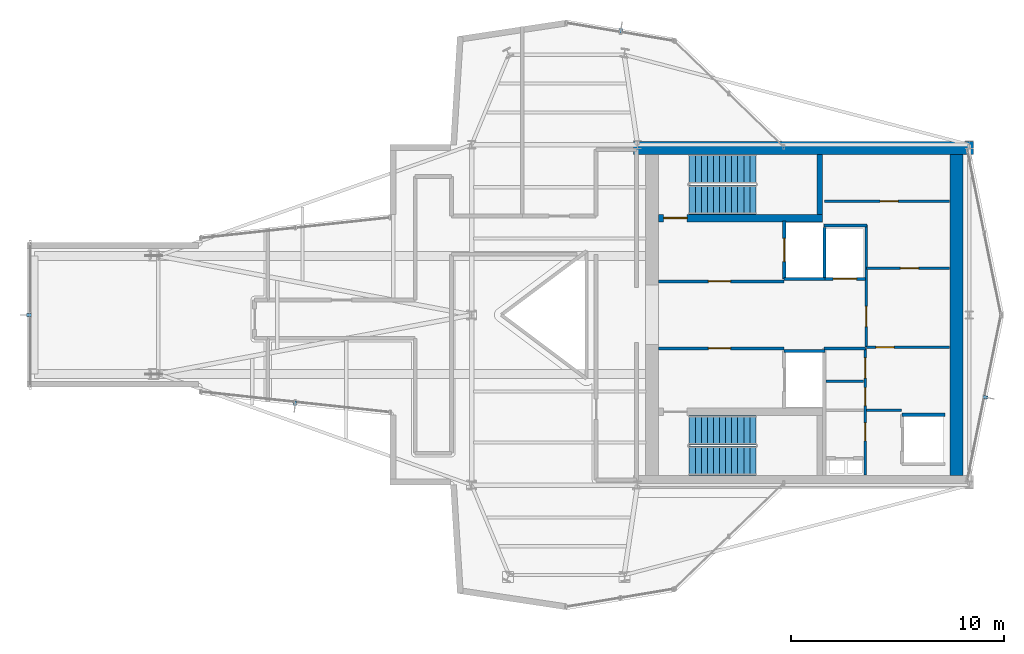
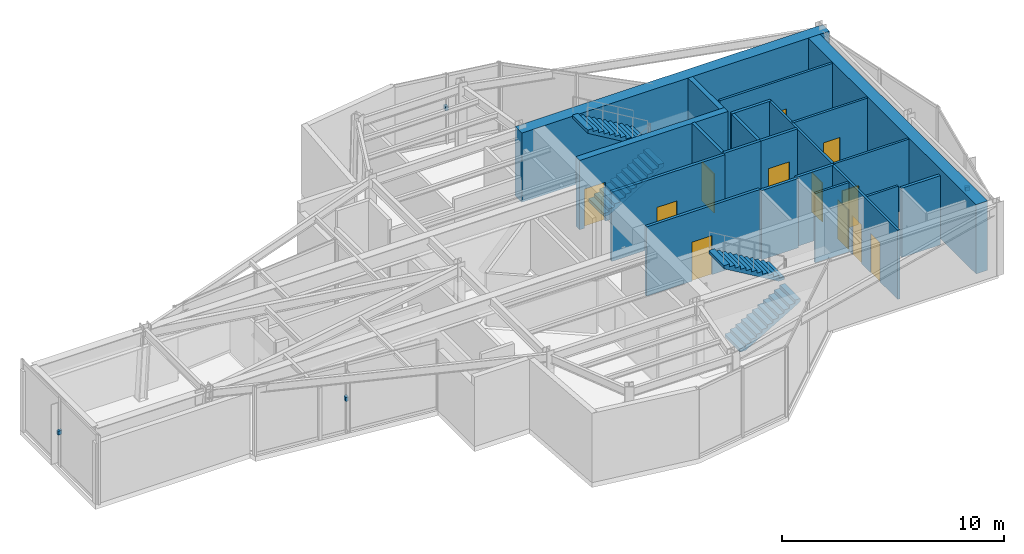
# One storey, part 14 of 18: 21 walls, 12 doors, 4 discrete accessories, 4 stair flights, 12 openings, 2 elements without a shape of their own.
"""IFC4 building model written with IfcOpenShell, lengths in metres."""

import ifcopenshell
import ifcopenshell.guid

model = None  # the IFC model being written
_history = None  # IfcOwnerHistory: only IFC2X3 demands one
_inside = {}  # id of a spatial element -> (the spatial element, [elements in it])
_under = {}  # id of a project, library or spatial element -> (it, [spatial elements below it])
_declared = {}  # id of a project -> (the project, [libraries it declares])
_typed = {}  # id of a type object -> (the type object, [elements of that type])
_made_of = {}  # id of a material, layer set ... -> (it, [elements and type objects made of it])


def new_model(schema):
    """Start an empty IFC model of exactly this schema.

    Asked for "IFC4X3", IfcOpenShell would pick the latest addendum, in which some entities
    have other attributes; the version numbers below select the first issue.
    IFC2X3 requires an IfcOwnerHistory on every rooted entity: one is made here for all.
    """
    global model, _history
    if schema == "IFC4X3":
        model = ifcopenshell.file(schema_version=(4, 3, 0, 0))
    else:
        model = ifcopenshell.file(schema=schema)
    _inside.clear()
    _under.clear()
    _declared.clear()
    _typed.clear()
    _made_of.clear()
    _history = None
    if model.schema == "IFC2X3":
        org = make("IfcOrganization", Name="unknown")
        user = make(
            "IfcPersonAndOrganization",
            ThePerson=make("IfcPerson", FamilyName="unknown"),
            TheOrganization=org,
        )
        app = make(
            "IfcApplication",
            ApplicationDeveloper=org,
            Version="unknown",
            ApplicationFullName="unknown",
            ApplicationIdentifier="unknown",
        )
        _history = make(
            "IfcOwnerHistory",
            OwningUser=user,
            OwningApplication=app,
            ChangeAction="ADDED",
            CreationDate=0,
        )
    return model


def make(cls, **values):
    """One entity of the class cls with the attributes given. An attribute that is None is left unset."""
    return model.create_entity(
        cls, **{name: value for name, value in values.items() if value is not None}
    )


def rooted(cls, **values):
    """An entity with a GlobalId (a new one), such as an element, a storey or a relation."""
    return make(cls, GlobalId=ifcopenshell.guid.new(), OwnerHistory=_history, **values)


def si_unit(unit_type, name, prefix=None):
    """IfcSIUnit, for example si_unit("LENGTHUNIT", "METRE", prefix="MILLI")."""
    return make("IfcSIUnit", UnitType=unit_type, Prefix=prefix, Name=name)


def assignment(units):
    """IfcUnitAssignment: the units of a project."""
    return None if units is None else make("IfcUnitAssignment", Units=units)


def point(xyz):
    """IfcCartesianPoint."""
    return None if xyz is None else make("IfcCartesianPoint", Coordinates=xyz)


def direction(xyz):
    """IfcDirection."""
    return None if xyz is None else make("IfcDirection", DirectionRatios=xyz)


def frame(location, z_axis=None, x_axis=None):
    """IfcAxis2Placement3D, a coordinate frame: its origin and axes. An axis left out is left unset."""
    return make(
        "IfcAxis2Placement3D",
        Location=point(location),
        Axis=direction(z_axis),
        RefDirection=direction(x_axis),
    )


def frame_2d(location, x_axis=None):
    """IfcAxis2Placement2D, a coordinate frame in the plane: its origin and x axis."""
    return make(
        "IfcAxis2Placement2D", Location=point(location), RefDirection=direction(x_axis)
    )


def origin():
    """The frame at (0, 0, 0) with its axes left unset."""
    return frame((0.0, 0.0, 0.0))


def origin_2d():
    """The frame at (0, 0) in the plane with its x axis left unset."""
    return frame_2d((0.0, 0.0))


def place(relative_to, where):
    """IfcLocalPlacement: puts the frame where relative to a parent placement (None: the world)."""
    return make(
        "IfcLocalPlacement", PlacementRelTo=relative_to, RelativePlacement=where
    )


def context(
    kind, dimensions, precision=None, world=None, true_north=None, identifier=None
):
    """IfcGeometricRepresentationContext, for example the 3D "Model" context."""
    return make(
        "IfcGeometricRepresentationContext",
        ContextIdentifier=identifier,
        ContextType=kind,
        CoordinateSpaceDimension=dimensions,
        Precision=precision,
        WorldCoordinateSystem=world,
        TrueNorth=true_north,
    )


def subcontext(parent, identifier, kind, view, scale=None):
    """IfcGeometricRepresentationSubContext, for example "Body" below "Model"."""
    return make(
        "IfcGeometricRepresentationSubContext",
        ContextIdentifier=identifier,
        ContextType=kind,
        ParentContext=parent,
        TargetScale=scale,
        TargetView=view,
    )


def project(units=None, contexts=None):
    """IfcProject with its units and contexts."""
    return rooted(
        "IfcProject",
        Name="project",
        RepresentationContexts=contexts,
        UnitsInContext=assignment(units),
    )


def spatial(cls, under=None, at=None, **own):
    """A site, building, storey or space (cls), placed at a placement, below another one or the project."""
    s = rooted(cls, ObjectPlacement=at, **own)
    if under is not None:
        _under.setdefault(under.id(), (under, []))[1].append(s)
    return s


def polyline(points):
    """IfcPolyline through the points."""
    return make("IfcPolyline", Points=[point(p) for p in points])


def profile(cls, at=None, kind="AREA", **sizes):
    """A parametric profile (cls). Its sizes go by their IFC names, for example OverallWidth=200.0."""
    return make(cls, ProfileType=kind, Position=at, **sizes)


def rectangle(**sizes):
    """IfcRectangleProfileDef."""
    return profile("IfcRectangleProfileDef", **sizes)


def outline(outer, holes=None, kind="AREA"):
    """IfcArbitraryClosedProfileDef: a profile drawn as a closed curve; with holes, ...WithVoids."""
    if holes is None:
        return make("IfcArbitraryClosedProfileDef", ProfileType=kind, OuterCurve=outer)
    return make(
        "IfcArbitraryProfileDefWithVoids",
        ProfileType=kind,
        OuterCurve=outer,
        InnerCurves=holes,
    )


def extrude(swept, where, along, depth):
    """IfcExtrudedAreaSolid: the profile swept, set in the frame where, extruded along a direction by depth."""
    return make(
        "IfcExtrudedAreaSolid",
        SweptArea=swept,
        Position=where,
        ExtrudedDirection=direction(along),
        Depth=depth,
    )


def shape(context_of_items, identifier, shape_type, items):
    """IfcShapeRepresentation: the items that make up one representation, for example the "Body"."""
    return make(
        "IfcShapeRepresentation",
        ContextOfItems=context_of_items,
        RepresentationIdentifier=identifier,
        RepresentationType=shape_type,
        Items=items,
    )


def material(Name=None, Category=None):
    """IfcMaterial."""
    return make("IfcMaterial", Name=Name, Category=Category)


def layer(
    of_material, thickness, ventilated=None, Name=None, Category=None, Priority=None
):
    """IfcMaterialLayer: one layer of a wall or slab, of a material (None: an air gap)."""
    return make(
        "IfcMaterialLayer",
        Material=of_material,
        LayerThickness=thickness,
        IsVentilated=ventilated,
        Name=Name,
        Category=Category,
        Priority=Priority,
    )


def layer_set(layers, Name=None):
    """IfcMaterialLayerSet."""
    return make("IfcMaterialLayerSet", MaterialLayers=layers, LayerSetName=Name)


def made_of(thing, what):
    """Note that an element or type object is made of a material, layer set ...; save() writes the relation."""
    if what is not None:
        _made_of.setdefault(what.id(), (what, []))[1].append(thing)
    return thing


def type_object(cls, material=None, **own):
    """A type object (cls), such as IfcWallType, which elements share."""
    return made_of(rooted(cls, **own), material)


def element(
    cls,
    number,
    at=None,
    inside=None,
    cuts=None,
    type_object=None,
    material=None,
    context=None,
    identifier="Body",
    shape_type=None,
    held_by="IfcProductDefinitionShape",
    body=None,
    shapes=None,
    **own,
):
    """One element of the class cls, such as IfcWall. Its Tag is "e" and its number.

    at: its placement. inside: the storey or other place that contains it. cuts: it is an
    opening in that element (IfcRelVoidsElement). A single representation is given by context,
    identifier, shape_type and body (its items); several are given by shapes. held_by: the class
    of the entity that holds the representations. save() writes the other relations.
    """
    e = rooted(cls, Tag="e%d" % number, ObjectPlacement=at, **own)
    if body is not None:
        shapes = [shape(context, identifier, shape_type, body)]
    if shapes is not None:
        e.Representation = make(held_by, Representations=shapes)
    if inside is not None:
        _inside.setdefault(inside.id(), (inside, []))[1].append(e)
    if cuts is not None:
        rooted(
            "IfcRelVoidsElement", RelatingBuildingElement=cuts, RelatedOpeningElement=e
        )
    if type_object is not None:
        _typed.setdefault(type_object.id(), (type_object, []))[1].append(e)
    return made_of(e, material)


def fill(opening, filler):
    """IfcRelFillsElement: the door or window that sits in an opening."""
    return rooted(
        "IfcRelFillsElement",
        RelatingOpeningElement=opening,
        RelatedBuildingElement=filler,
    )


def aggregate(whole, parts):
    """IfcRelAggregates: a whole, such as a stair, and the parts it consists of."""
    return rooted("IfcRelAggregates", RelatingObject=whole, RelatedObjects=parts)


def save(model, path):
    """Write the relations noted so far, then the file.

    IfcRelAggregates (storeys below a building ...), IfcRelContainedInSpatialStructure (elements
    in a storey), IfcRelDefinesByType, IfcRelAssociatesMaterial and IfcRelDeclares: one each for
    every whole, place, type object, material and project.
    """
    for whole, parts in _under.values():
        aggregate(whole, parts)
    for where, things in _inside.values():
        rooted(
            "IfcRelContainedInSpatialStructure",
            RelatedElements=things,
            RelatingStructure=where,
        )
    for kind, things in _typed.values():
        rooted("IfcRelDefinesByType", RelatedObjects=things, RelatingType=kind)
    for what, things in _made_of.values():
        rooted("IfcRelAssociatesMaterial", RelatedObjects=things, RelatingMaterial=what)
    for by, libraries in _declared.values():
        rooted("IfcRelDeclares", RelatingContext=by, RelatedDefinitions=libraries)
    model.write(path)


model = new_model("IFC4")

# Units and contexts
model_context = context("Model", 3, precision=1e-05, world=origin(), true_north=direction((0.0, 1.0)))
body_context = subcontext(model_context, "Body", "Model", "MODEL_VIEW")
ifc_project = project(units=[si_unit("LENGTHUNIT", "METRE"), si_unit("AREAUNIT", "SQUARE_METRE"), si_unit("VOLUMEUNIT", "CUBIC_METRE"), si_unit("PLANEANGLEUNIT", "RADIAN"), si_unit("MASSUNIT", "GRAM", prefix="KILO")], contexts=[model_context])

# Site, building, storey
site_placement = place(None, origin())
site = spatial("IfcSite", under=ifc_project, at=site_placement, CompositionType="ELEMENT")
building_placement = place(site_placement, origin())
building = spatial("IfcBuilding", under=site, at=building_placement, Name="Veymaron Broadcast Tower", CompositionType="ELEMENT")
storey_placement = place(building_placement, frame((0.0, 0.0, 319.5)))
storey = spatial("IfcBuildingStorey", under=building, at=storey_placement, Name="L75", CompositionType="ELEMENT", Elevation=319.5)

# Wall, opening, door
ifc_material_1 = material(Name="Gypsum fireboard and steel stud framing", Category="steel")
ifc_layer_1 = layer(ifc_material_1, 0.14990234375)
ifc_layer_set_1 = layer_set([ifc_layer_1], Name="Gypsum fireboard and steel stud framing")
wall_type_1 = type_object("IfcWallType", Name="WALL-FIRE-150", PredefinedType="PARTITIONING", material=ifc_layer_set_1)
wall_1_placement = place(storey_placement, frame((39.97998046875, 25.574951171875, 0.0), z_axis=(0.0, 0.0, 1.0), x_axis=(1.0, 0.0, 0.0)))
wall_1 = element("IfcWall", 1, at=wall_1_placement, inside=storey, type_object=wall_type_1, Name="L75 partition IW-L75-FFLN-S", PredefinedType="PARTITIONING", context=body_context, shape_type="SweptSolid", body=[
    extrude(rectangle(XDim=5.89990234375, YDim=0.14990234375, at=frame_2d((2.949951171875, 0.0))), origin(), (0.0, 0.0, 1.0), 3.81005859375),
])
opening_1_placement = place(wall_1_placement, frame((2.35009765625, 0.0, 0.0)))
opening_1 = element("IfcOpeningElement", 2, at=opening_1_placement, cuts=wall_1, Name="Opening ID-FL1", PredefinedType="OPENING", context=body_context, shape_type="SweptSolid", body=[
    extrude(rectangle(XDim=1.050048828125, YDim=2.14990234375, at=frame_2d((0.52490234375, 1.074951171875))), frame((0.0, 0.0849609375, 0.0), z_axis=(0.0, -1.0, 0.0), x_axis=(1.0, 0.0, 0.0)), (0.0, 0.0, 1.0), 0.169921875),
])
ifc_material_2 = material(Name="Fire-rated painted hollow steel ASTM A653", Category="steel")
door_type_1 = type_object("IfcDoorType", Name="DOOR-FIRE-1050", OperationType="NOTDEFINED", PredefinedType="DOOR", material=ifc_material_2)
door_1_placement = place(opening_1_placement, origin())
door_1 = element("IfcDoor", 3, at=door_1_placement, inside=storey, type_object=door_type_1, Name="L75 door DR-L75-FFLN", OperationType="SINGLE_SWING_LEFT", OverallHeight=2.14990234375, OverallWidth=1.050048828125, PredefinedType="DOOR", context=body_context, shape_type="SweptSolid", body=[
    extrude(rectangle(XDim=1.050048828125, YDim=2.14990234375, at=frame_2d((0.52490234375, 1.074951171875))), frame((0.0, 0.02490234375, 0.0), z_axis=(0.0, -1.0, 0.0), x_axis=(1.0, 0.0, 0.0)), (0.0, 0.0, 1.0), 0.050048828125),
])
fill(opening_1, door_1)

wall_2_placement = place(storey_placement, frame((39.97998046875, 22.425048828125, 0.0), z_axis=(0.0, 0.0, 1.0), x_axis=(1.0, 0.0, 0.0)))
wall_2 = element("IfcWall", 4, at=wall_2_placement, inside=storey, type_object=wall_type_1, Name="L75 partition IW-L75-FFLS-N", PredefinedType="PARTITIONING", context=body_context, shape_type="SweptSolid", body=[
    extrude(rectangle(XDim=5.89990234375, YDim=0.14990234375, at=frame_2d((2.949951171875, 0.0))), origin(), (0.0, 0.0, 1.0), 3.81005859375),
])
opening_2_placement = place(wall_2_placement, frame((2.35009765625, 0.0, 0.0)))
opening_2 = element("IfcOpeningElement", 5, at=opening_2_placement, cuts=wall_2, Name="Opening ID-FL1", PredefinedType="OPENING", context=body_context, shape_type="SweptSolid", body=[
    extrude(rectangle(XDim=1.050048828125, YDim=2.14990234375, at=frame_2d((0.52490234375, 1.074951171875))), frame((0.0, 0.0849609375, 0.0), z_axis=(0.0, -1.0, 0.0), x_axis=(1.0, 0.0, 0.0)), (0.0, 0.0, 1.0), 0.169921875),
])
door_2_placement = place(opening_2_placement, frame((1.050048828125, 0.0, 0.0), z_axis=(0.0, 0.0, 1.0), x_axis=(-1.0, 0.0, 0.0)))
door_2 = element("IfcDoor", 6, at=door_2_placement, inside=storey, type_object=door_type_1, Name="L75 door DR-L75-FFLS", OperationType="SINGLE_SWING_RIGHT", OverallHeight=2.14990234375, OverallWidth=1.050048828125, PredefinedType="DOOR", context=body_context, shape_type="SweptSolid", body=[
    extrude(rectangle(XDim=1.050048828125, YDim=2.14990234375, at=frame_2d((0.52490234375, 1.074951171875))), frame((0.0, 0.02490234375, 0.0), z_axis=(0.0, -1.0, 0.0), x_axis=(1.0, 0.0, 0.0)), (0.0, 0.0, 1.0), 0.050048828125),
])
fill(opening_2, door_2)

wall_3_placement = place(storey_placement, frame((45.89501953125, 25.68994140625, 0.0), z_axis=(0.0, 0.0, 1.0), x_axis=(0.0, 1.0, 0.0)))
wall_3 = element("IfcWall", 7, at=wall_3_placement, inside=storey, type_object=wall_type_1, Name="L75 partition IW-L75-SHW-FFL-1", PredefinedType="PARTITIONING", context=body_context, shape_type="SweptSolid", body=[
    extrude(rectangle(XDim=2.719970703125, YDim=0.14990234375, at=frame_2d((1.35986328125, 0.0))), origin(), (0.0, 0.0, 1.0), 3.81005859375),
])
opening_3_placement = place(wall_3_placement, frame((0.81005859375, 0.0, 0.0)))
opening_3 = element("IfcOpeningElement", 8, at=opening_3_placement, cuts=wall_3, Name="Opening LD", PredefinedType="OPENING", context=body_context, shape_type="SweptSolid", body=[
    extrude(rectangle(XDim=1.10009765625, YDim=2.14990234375, at=frame_2d((0.550048828125, 1.074951171875))), frame((0.0, 0.0849609375, 0.0), z_axis=(0.0, -1.0, 0.0), x_axis=(1.0, 0.0, 0.0)), (0.0, 0.0, 1.0), 0.169921875),
])
ifc_material_3 = material(Name="Brushed stainless steel AISI 304", Category="steel")
door_type_2 = type_object("IfcDoorType", Name="DOOR-LIFT-1100", OperationType="DOUBLE_DOOR_SLIDING", PredefinedType="DOOR", material=ifc_material_3)
door_3_placement = place(opening_3_placement, frame((1.10009765625, 0.0, 0.0), z_axis=(0.0, 0.0, 1.0), x_axis=(-1.0, 0.0, 0.0)))
door_3 = element("IfcDoor", 9, at=door_3_placement, inside=storey, type_object=door_type_2, Name="L75 door LD-L75-FFL-1", OperationType="DOUBLE_DOOR_SLIDING", OverallHeight=2.14990234375, OverallWidth=1.10009765625, PredefinedType="DOOR", context=body_context, shape_type="SweptSolid", body=[
    extrude(rectangle(XDim=1.10009765625, YDim=2.14990234375, at=frame_2d((0.550048828125, 1.074951171875))), frame((0.0, 0.02490234375, 0.0), z_axis=(0.0, -1.0, 0.0), x_axis=(1.0, 0.0, 0.0)), (0.0, 0.0, 1.0), 0.050048828125),
])
fill(opening_3, door_3)

# Walls
for number, where, z_axis, x_axis, name in (
    (10, (45.89501953125, 25.68994140625, 0.0), (0.0, 0.0, 1.0), (1.0, 0.0, 0.0), "L75 partition IW-L75-SHS-FFL-1"),
    (11, (45.89501953125, 22.31005859375, 0.0), (0.0, 0.0, 1.0), (1.0, 0.0, 0.0), "L75 partition IW-L75-SHN-FFL-2"),
):
    element("IfcWall", number, at=place(storey_placement, frame(where, z_axis=z_axis, x_axis=x_axis)), inside=storey, type_object=wall_type_1, Name=name, PredefinedType="PARTITIONING", context=body_context, shape_type="SweptSolid", body=[
        extrude(rectangle(XDim=1.9150390625, YDim=0.14990234375, at=frame_2d((0.95751953125, 0.0))), origin(), (0.0, 0.0, 1.0), 3.81005859375),
    ])

# Wall, opening, door
wall_4_placement = place(storey_placement, frame((47.7900390625, 25.695068359375, 0.0), z_axis=(0.0, 0.0, 1.0), x_axis=(1.0, 0.0, 0.0)))
wall_4 = element("IfcWall", 12, at=wall_4_placement, inside=storey, type_object=wall_type_1, Name="L75 partition IW-L75-SHS-SL-1", PredefinedType="PARTITIONING", context=body_context, shape_type="SweptSolid", body=[
    extrude(rectangle(XDim=1.919921875, YDim=0.14990234375, at=frame_2d((0.9599609375, 0.0))), origin(), (0.0, 0.0, 1.0), 3.81005859375),
])
opening_4_placement = place(wall_4_placement, frame((0.409912109375, 0.0, 0.0)))
opening_4 = element("IfcOpeningElement", 13, at=opening_4_placement, cuts=wall_4, Name="Opening LD", PredefinedType="OPENING", context=body_context, shape_type="SweptSolid", body=[
    extrude(rectangle(XDim=1.10009765625, YDim=2.14990234375, at=frame_2d((0.550048828125, 1.074951171875))), frame((0.0, 0.0849609375, 0.0), z_axis=(0.0, -1.0, 0.0), x_axis=(1.0, 0.0, 0.0)), (0.0, 0.0, 1.0), 0.169921875),
])
door_4_placement = place(opening_4_placement, frame((1.10009765625, 0.0, 0.0), z_axis=(0.0, 0.0, 1.0), x_axis=(-1.0, 0.0, 0.0)))
door_4 = element("IfcDoor", 14, at=door_4_placement, inside=storey, type_object=door_type_2, Name="L75 door LD-L75-SL-1", OperationType="DOUBLE_DOOR_SLIDING", OverallHeight=2.14990234375, OverallWidth=1.10009765625, PredefinedType="DOOR", context=body_context, shape_type="SweptSolid", body=[
    extrude(rectangle(XDim=1.10009765625, YDim=2.14990234375, at=frame_2d((0.550048828125, 1.074951171875))), frame((0.0, 0.02490234375, 0.0), z_axis=(0.0, -1.0, 0.0), x_axis=(1.0, 0.0, 0.0)), (0.0, 0.0, 1.0), 0.050048828125),
])
fill(opening_4, door_4)

# Walls
wall_5_placement = place(storey_placement, frame((47.7900390625, 25.695068359375, 0.0), z_axis=(0.0, 0.0, 1.0), x_axis=(0.0, 1.0, 0.0)))
element("IfcWall", 15, at=wall_5_placement, inside=storey, type_object=wall_type_1, Name="L75 partition IW-L75-SHW-SL-1", PredefinedType="PARTITIONING", context=body_context, shape_type="SweptSolid", body=[
    extrude(rectangle(XDim=2.4150390625, YDim=0.14990234375, at=frame_2d((1.20751953125, 0.0))), origin(), (0.0, 0.0, 1.0), 3.81005859375),
])
wall_6_placement = place(storey_placement, frame((51.445068359375, 19.31005859375, 0.0), z_axis=(0.0, 0.0, 1.0), x_axis=(1.0, 0.0, 0.0)))
element("IfcWall", 16, at=wall_6_placement, inside=storey, type_object=wall_type_1, Name="L75 partition IW-L75-SHN-PH1", PredefinedType="PARTITIONING", context=body_context, shape_type="SweptSolid", body=[
    extrude(rectangle(XDim=2.014892578125, YDim=0.14990234375, at=frame_2d((1.00732421875, 0.0))), origin(), (0.0, 0.0, 1.0), 3.81005859375),
])
wall_7_placement = place(storey_placement, frame((47.760009765625, 22.425048828125, 0.0), z_axis=(0.0, 0.0, 1.0), x_axis=(1.0, 0.0, 0.0)))
element("IfcWall", 17, at=wall_7_placement, inside=storey, type_object=wall_type_1, Name="L75 partition IW-L75-SM-N", PredefinedType="PARTITIONING", context=body_context, shape_type="SweptSolid", body=[
    extrude(rectangle(XDim=1.9599609375, YDim=0.14990234375, at=frame_2d((0.97998046875, 0.0))), origin(), (0.0, 0.0, 1.0), 3.81005859375),
])
wall_8_placement = place(storey_placement, frame((47.760009765625, 28.199951171875, 0.0), z_axis=(0.0, 0.0, 1.0), x_axis=(1.0, 0.0, 0.0)))
element("IfcWall", 18, at=wall_8_placement, inside=storey, type_object=wall_type_1, Name="L75 partition IW-L75-F3-SW", PredefinedType="PARTITIONING", context=body_context, shape_type="SweptSolid", body=[
    extrude(rectangle(XDim=2.0400390625, YDim=0.14990234375, at=frame_2d((1.02001953125, 0.0))), origin(), (0.0, 0.0, 1.0), 3.81005859375),
])
ifc_material_4 = material(Name="Acoustic gypsum board and galvanized stud", Category="gypsum")
ifc_layer_2 = layer(ifc_material_4, 0.1201171875)
ifc_layer_set_2 = layer_set([ifc_layer_2], Name="Acoustic gypsum board and galvanized stud")
wall_type_2 = type_object("IfcWallType", Name="WALL-PART-120", PredefinedType="PARTITIONING", material=ifc_layer_set_2)
wall_9_placement = place(storey_placement, frame((47.860107421875, 20.8798828125, 0.0), z_axis=(0.0, 0.0, 1.0), x_axis=(1.0, 0.0, 0.0)))
element("IfcWall", 19, at=wall_9_placement, inside=storey, type_object=wall_type_2, Name="L75 partition IW-L75-SM-D2", PredefinedType="PARTITIONING", context=body_context, shape_type="SweptSolid", body=[
    extrude(rectangle(XDim=1.760009765625, YDim=0.1201171875, at=frame_2d((0.8798828125, 0.0))), origin(), (0.0, 0.0, 1.0), 3.81005859375),
])

# Wall, openings, doors
wall_10_placement = place(storey_placement, frame((49.699951171875, 16.47998046875, 0.0), z_axis=(0.0, 0.0, 1.0), x_axis=(0.0, 1.0, 0.0)))
wall_10 = element("IfcWall", 20, at=wall_10_placement, inside=storey, type_object=wall_type_2, Name="L75 partition IW-L75-SM-E", PredefinedType="PARTITIONING", context=body_context, shape_type="SweptSolid", body=[
    extrude(rectangle(XDim=5.945068359375, YDim=0.1201171875, at=frame_2d((2.97265625, 0.0))), origin(), (0.0, 0.0, 1.0), 3.81005859375),
])
opening_5_placement = place(wall_10_placement, frame((1.60009765625, 0.0, 0.0)))
opening_5 = element("IfcOpeningElement", 21, at=opening_5_placement, cuts=wall_10, Name="Opening ID-WC1", PredefinedType="OPENING", context=body_context, shape_type="SweptSolid", body=[
    extrude(rectangle(XDim=0.85009765625, YDim=2.14990234375, at=frame_2d((0.425048828125, 1.074951171875))), frame((0.0, 0.070068359375, 0.0), z_axis=(0.0, -1.0, 0.0), x_axis=(1.0, 0.0, 0.0)), (0.0, 0.0, 1.0), 0.14013671875),
])
opening_6_placement = place(wall_10_placement, frame((3.25, 0.0, 0.0)))
opening_6 = element("IfcOpeningElement", 22, at=opening_6_placement, cuts=wall_10, Name="Opening ID-WC1", PredefinedType="OPENING", context=body_context, shape_type="SweptSolid", body=[
    extrude(rectangle(XDim=0.85009765625, YDim=2.14990234375, at=frame_2d((0.425048828125, 1.074951171875))), frame((0.0, 0.070068359375, 0.0), z_axis=(0.0, -1.0, 0.0), x_axis=(1.0, 0.0, 0.0)), (0.0, 0.0, 1.0), 0.14013671875),
])
opening_7_placement = place(wall_10_placement, frame((4.550048828125, 0.0, 0.0)))
opening_7 = element("IfcOpeningElement", 23, at=opening_7_placement, cuts=wall_10, Name="Opening ID-RM1", PredefinedType="OPENING", context=body_context, shape_type="SweptSolid", body=[
    extrude(rectangle(XDim=0.949951171875, YDim=2.14990234375, at=frame_2d((0.47509765625, 1.074951171875))), frame((0.0, 0.070068359375, 0.0), z_axis=(0.0, -1.0, 0.0), x_axis=(1.0, 0.0, 0.0)), (0.0, 0.0, 1.0), 0.14013671875),
])
ifc_material_5 = material(Name="Moisture-resistant high-pressure laminate timber", Category="wood")
door_type_3 = type_object("IfcDoorType", Name="DOOR-INT-850", OperationType="NOTDEFINED", PredefinedType="DOOR", material=ifc_material_5)
door_5_placement = place(opening_5_placement, frame((0.85009765625, 0.0, 0.0), z_axis=(0.0, 0.0, 1.0), x_axis=(-1.0, 0.0, 0.0)))
door_5 = element("IfcDoor", 24, at=door_5_placement, inside=storey, type_object=door_type_3, Name="L75 door DR-L75-JST", OperationType="SINGLE_SWING_LEFT", OverallHeight=2.14990234375, OverallWidth=0.85009765625, PredefinedType="DOOR", context=body_context, shape_type="SweptSolid", body=[
    extrude(rectangle(XDim=0.85009765625, YDim=2.14990234375, at=frame_2d((0.425048828125, 1.074951171875))), frame((0.0, 0.02490234375, 0.0), z_axis=(0.0, -1.0, 0.0), x_axis=(1.0, 0.0, 0.0)), (0.0, 0.0, 1.0), 0.050048828125),
])
fill(opening_5, door_5)
door_6_placement = place(opening_6_placement, frame((0.85009765625, 0.0, 0.0), z_axis=(0.0, 0.0, 1.0), x_axis=(-1.0, 0.0, 0.0)))
door_6 = element("IfcDoor", 25, at=door_6_placement, inside=storey, type_object=door_type_3, Name="L75 door DR-L75-SWC", OperationType="SINGLE_SWING_RIGHT", OverallHeight=2.14990234375, OverallWidth=0.85009765625, PredefinedType="DOOR", context=body_context, shape_type="SweptSolid", body=[
    extrude(rectangle(XDim=0.85009765625, YDim=2.14990234375, at=frame_2d((0.425048828125, 1.074951171875))), frame((0.0, 0.02490234375, 0.0), z_axis=(0.0, -1.0, 0.0), x_axis=(1.0, 0.0, 0.0)), (0.0, 0.0, 1.0), 0.050048828125),
])
fill(opening_6, door_6)
ifc_material_6 = material(Name="Acoustic solid-core European oak veneer timber", Category="wood")
door_type_4 = type_object("IfcDoorType", Name="DOOR-INT-950", OperationType="NOTDEFINED", PredefinedType="DOOR", material=ifc_material_6)
door_7_placement = place(opening_7_placement, frame((0.949951171875, 0.0, 0.0), z_axis=(0.0, 0.0, 1.0), x_axis=(-1.0, 0.0, 0.0)))
door_7 = element("IfcDoor", 26, at=door_7_placement, inside=storey, type_object=door_type_4, Name="L75 door DR-L75-AWC", OperationType="SINGLE_SWING_LEFT", OverallHeight=2.14990234375, OverallWidth=0.949951171875, PredefinedType="DOOR", context=body_context, shape_type="SweptSolid", body=[
    extrude(rectangle(XDim=0.949951171875, YDim=2.14990234375, at=frame_2d((0.47509765625, 1.074951171875))), frame((0.0, 0.02490234375, 0.0), z_axis=(0.0, -1.0, 0.0), x_axis=(1.0, 0.0, 0.0)), (0.0, 0.0, 1.0), 0.050048828125),
])
fill(opening_7, door_7)

# Wall, opening, door
wall_11_placement = place(storey_placement, frame((49.760009765625, 22.47998046875, 0.0), z_axis=(0.0, 0.0, 1.0), x_axis=(1.0, 0.0, 0.0)))
wall_11 = element("IfcWall", 27, at=wall_11_placement, inside=storey, type_object=wall_type_2, Name="L75 partition IW-L75-F3S-N", PredefinedType="PARTITIONING", context=body_context, shape_type="SweptSolid", body=[
    extrude(rectangle(XDim=3.89990234375, YDim=0.1201171875, at=frame_2d((1.949951171875, 0.0))), origin(), (0.0, 0.0, 1.0), 3.81005859375),
])
opening_8_placement = place(wall_11_placement, frame((0.449951171875, 0.0, 0.0)))
opening_8 = element("IfcOpeningElement", 28, at=opening_8_placement, cuts=wall_11, Name="Opening ID-WC1", PredefinedType="OPENING", context=body_context, shape_type="SweptSolid", body=[
    extrude(rectangle(XDim=0.85009765625, YDim=2.14990234375, at=frame_2d((0.425048828125, 1.074951171875))), frame((0.0, 0.070068359375, 0.0), z_axis=(0.0, -1.0, 0.0), x_axis=(1.0, 0.0, 0.0)), (0.0, 0.0, 1.0), 0.14013671875),
])
door_8_placement = place(opening_8_placement, frame((0.85009765625, 0.0, 0.0), z_axis=(0.0, 0.0, 1.0), x_axis=(-1.0, 0.0, 0.0)))
door_8 = element("IfcDoor", 29, at=door_8_placement, inside=storey, type_object=door_type_3, Name="L75 door DR-L75-F3S", OperationType="SINGLE_SWING_LEFT", OverallHeight=2.14990234375, OverallWidth=0.85009765625, PredefinedType="DOOR", context=body_context, shape_type="SweptSolid", body=[
    extrude(rectangle(XDim=0.85009765625, YDim=2.14990234375, at=frame_2d((0.425048828125, 1.074951171875))), frame((0.0, 0.02490234375, 0.0), z_axis=(0.0, -1.0, 0.0), x_axis=(1.0, 0.0, 0.0)), (0.0, 0.0, 1.0), 0.050048828125),
])
fill(opening_8, door_8)

# Wall
wall_12_placement = place(storey_placement, frame((49.760009765625, 19.52001953125, 0.0), z_axis=(0.0, 0.0, 1.0), x_axis=(1.0, 0.0, 0.0)))
element("IfcWall", 30, at=wall_12_placement, inside=storey, type_object=wall_type_2, Name="L75 partition IW-L75-F3S-S", PredefinedType="PARTITIONING", context=body_context, shape_type="SweptSolid", body=[
    extrude(rectangle(XDim=1.639892578125, YDim=0.1201171875, at=frame_2d((0.81982421875, 0.0))), origin(), (0.0, 0.0, 1.0), 3.81005859375),
])

# Wall, opening, door
wall_13_placement = place(storey_placement, frame((49.760009765625, 22.5, 0.0), z_axis=(0.0, 0.0, 1.0), x_axis=(0.0, 1.0, 0.0)))
wall_13 = element("IfcWall", 31, at=wall_13_placement, inside=storey, type_object=wall_type_2, Name="L75 partition IW-L75-F3-W", PredefinedType="PARTITIONING", context=body_context, shape_type="SweptSolid", body=[
    extrude(rectangle(XDim=5.719970703125, YDim=0.1201171875, at=frame_2d((2.85986328125, 0.0))), origin(), (0.0, 0.0, 1.0), 3.81005859375),
])
opening_9_placement = place(wall_13_placement, frame((0.949951171875, 0.0, 0.0)))
opening_9 = element("IfcOpeningElement", 32, at=opening_9_placement, cuts=wall_13, Name="Opening ID-RM1", PredefinedType="OPENING", context=body_context, shape_type="SweptSolid", body=[
    extrude(rectangle(XDim=0.949951171875, YDim=2.14990234375, at=frame_2d((0.47509765625, 1.074951171875))), frame((0.0, 0.070068359375, 0.0), z_axis=(0.0, -1.0, 0.0), x_axis=(1.0, 0.0, 0.0)), (0.0, 0.0, 1.0), 0.14013671875),
])
door_9_placement = place(opening_9_placement, origin())
door_9 = element("IfcDoor", 33, at=door_9_placement, inside=storey, type_object=door_type_4, Name="L75 door DR-L75-F3A", OperationType="SINGLE_SWING_LEFT", OverallHeight=2.14990234375, OverallWidth=0.949951171875, PredefinedType="DOOR", context=body_context, shape_type="SweptSolid", body=[
    extrude(rectangle(XDim=0.949951171875, YDim=2.14990234375, at=frame_2d((0.47509765625, 1.074951171875))), frame((0.0, 0.02490234375, 0.0), z_axis=(0.0, -1.0, 0.0), x_axis=(1.0, 0.0, 0.0)), (0.0, 0.0, 1.0), 0.050048828125),
])
fill(opening_9, door_9)

wall_14_placement = place(storey_placement, frame((49.760009765625, 26.199951171875, 0.0), z_axis=(0.0, 0.0, 1.0), x_axis=(1.0, 0.0, 0.0)))
wall_14 = element("IfcWall", 34, at=wall_14_placement, inside=storey, type_object=wall_type_2, Name="L75 partition IW-L75-F3-M1", PredefinedType="PARTITIONING", context=body_context, shape_type="SweptSolid", body=[
    extrude(rectangle(XDim=3.89990234375, YDim=0.1201171875, at=frame_2d((1.949951171875, 0.0))), origin(), (0.0, 0.0, 1.0), 3.81005859375),
])
opening_10_placement = place(wall_14_placement, frame((1.60009765625, 0.0, 0.0)))
opening_10 = element("IfcOpeningElement", 35, at=opening_10_placement, cuts=wall_14, Name="Opening ID-WC1", PredefinedType="OPENING", context=body_context, shape_type="SweptSolid", body=[
    extrude(rectangle(XDim=0.85009765625, YDim=2.14990234375, at=frame_2d((0.425048828125, 1.074951171875))), frame((0.0, 0.070068359375, 0.0), z_axis=(0.0, -1.0, 0.0), x_axis=(1.0, 0.0, 0.0)), (0.0, 0.0, 1.0), 0.14013671875),
])
door_10_placement = place(opening_10_placement, origin())
door_10 = element("IfcDoor", 36, at=door_10_placement, inside=storey, type_object=door_type_3, Name="L75 door DR-L75-F3B", OperationType="SINGLE_SWING_LEFT", OverallHeight=2.14990234375, OverallWidth=0.85009765625, PredefinedType="DOOR", context=body_context, shape_type="SweptSolid", body=[
    extrude(rectangle(XDim=0.85009765625, YDim=2.14990234375, at=frame_2d((0.425048828125, 1.074951171875))), frame((0.0, 0.02490234375, 0.0), z_axis=(0.0, -1.0, 0.0), x_axis=(1.0, 0.0, 0.0)), (0.0, 0.0, 1.0), 0.050048828125),
])
fill(opening_10, door_10)

wall_15_placement = place(storey_placement, frame((47.800048828125, 29.35009765625, 0.0), z_axis=(0.0, 0.0, 1.0), x_axis=(1.0, 0.0, 0.0)))
wall_15 = element("IfcWall", 37, at=wall_15_placement, inside=storey, type_object=wall_type_2, Name="L75 partition IW-L75-F3-M2", PredefinedType="PARTITIONING", context=body_context, shape_type="SweptSolid", body=[
    extrude(rectangle(XDim=5.85986328125, YDim=0.1201171875, at=frame_2d((2.929931640625, 0.0))), origin(), (0.0, 0.0, 1.0), 3.81005859375),
])
opening_11_placement = place(wall_15_placement, frame((2.60009765625, 0.0, 0.0)))
opening_11 = element("IfcOpeningElement", 38, at=opening_11_placement, cuts=wall_15, Name="Opening ID-WC1", PredefinedType="OPENING", context=body_context, shape_type="SweptSolid", body=[
    extrude(rectangle(XDim=0.85009765625, YDim=2.14990234375, at=frame_2d((0.425048828125, 1.074951171875))), frame((0.0, 0.070068359375, 0.0), z_axis=(0.0, -1.0, 0.0), x_axis=(1.0, 0.0, 0.0)), (0.0, 0.0, 1.0), 0.14013671875),
])
door_11_placement = place(opening_11_placement, origin())
door_11 = element("IfcDoor", 39, at=door_11_placement, inside=storey, type_object=door_type_3, Name="L75 door DR-L75-F3C", OperationType="SINGLE_SWING_RIGHT", OverallHeight=2.14990234375, OverallWidth=0.85009765625, PredefinedType="DOOR", context=body_context, shape_type="SweptSolid", body=[
    extrude(rectangle(XDim=0.85009765625, YDim=2.14990234375, at=frame_2d((0.425048828125, 1.074951171875))), frame((0.0, 0.02490234375, 0.0), z_axis=(0.0, -1.0, 0.0), x_axis=(1.0, 0.0, 0.0)), (0.0, 0.0, 1.0), 0.050048828125),
])
fill(opening_11, door_11)

# Wall
ifc_material_7 = material(Name="Concrete C50/60", Category="concrete")
ifc_layer_3 = layer(ifc_material_7, 0.25)
ifc_layer_set_3 = layer_set([ifc_layer_3], Name="Concrete C50/60")
wall_type_3 = type_object("IfcWallType", Name="WALL-SHEAR-250", PredefinedType="SHEAR", material=ifc_layer_set_3)
wall_16_placement = place(storey_placement, frame((47.56494140625, 28.72998046875, 0.0), z_axis=(0.0, 0.0, 1.0), x_axis=(0.0, 1.0, 0.0)))
element("IfcWall", 40, at=wall_16_placement, inside=storey, type_object=wall_type_3, Name="L75 Core Wall north stair east shear", PredefinedType="SHEAR", context=body_context, shape_type="SweptSolid", body=[
    extrude(rectangle(XDim=2.820068359375, YDim=0.25, at=frame_2d((1.41015625, 0.0))), origin(), (0.0, 0.0, 1.0), 3.81005859375),
])

# Wall, opening, door
ifc_layer_4 = layer(ifc_material_7, 0.35009765625)
ifc_layer_set_4 = layer_set([ifc_layer_4], Name="Concrete C50/60")
wall_type_4 = type_object("IfcWallType", Name="WALL-SHEAR-350", PredefinedType="SHEAR", material=ifc_layer_set_4)
wall_17_placement = place(storey_placement, frame((39.97998046875, 28.554931640625, 0.0), z_axis=(0.0, 0.0, 1.0), x_axis=(1.0, 0.0, 0.0)))
wall_17 = element("IfcWall", 41, at=wall_17_placement, inside=storey, type_object=wall_type_4, Name="L75 Core Wall north stair spine", PredefinedType="SHEAR", context=body_context, shape_type="SweptSolid", body=[
    extrude(rectangle(XDim=7.7099609375, YDim=0.35009765625, at=frame_2d((3.85498046875, 0.0))), origin(), (0.0, 0.0, 1.0), 3.81005859375),
])
opening_12_placement = place(wall_17_placement, frame((0.25, 0.0, 0.0)))
opening_12 = element("IfcOpeningElement", 42, at=opening_12_placement, cuts=wall_17, Name="Opening ID-ST1", PredefinedType="OPENING", context=body_context, shape_type="SweptSolid", body=[
    extrude(rectangle(XDim=1.10009765625, YDim=2.14990234375, at=frame_2d((0.550048828125, 1.074951171875))), frame((0.0, 0.18505859375, 0.0), z_axis=(0.0, -1.0, 0.0), x_axis=(1.0, 0.0, 0.0)), (0.0, 0.0, 1.0), 0.3701171875),
])
door_type_5 = type_object("IfcDoorType", Name="DOOR-STAIR-1100", OperationType="NOTDEFINED", PredefinedType="DOOR", material=ifc_material_2)
door_12_placement = place(opening_12_placement, origin())
door_12 = element("IfcDoor", 43, at=door_12_placement, inside=storey, type_object=door_type_5, Name="L75 exit stair ST1 fire door", OperationType="SINGLE_SWING_RIGHT", OverallHeight=2.14990234375, OverallWidth=1.10009765625, PredefinedType="DOOR", context=body_context, shape_type="SweptSolid", body=[
    extrude(rectangle(XDim=1.10009765625, YDim=2.14990234375, at=frame_2d((0.550048828125, 1.074951171875))), frame((0.0, 0.02490234375, 0.0), z_axis=(0.0, -1.0, 0.0), x_axis=(1.0, 0.0, 0.0)), (0.0, 0.0, 1.0), 0.050048828125),
])
fill(opening_12, door_12)

# Walls
ifc_layer_5 = layer(ifc_material_7, 0.60009765625)
ifc_layer_set_5 = layer_set([ifc_layer_5], Name="Concrete C50/60")
wall_type_5 = type_object("IfcWallType", Name="WALL-SHEAR-600", PredefinedType="SHEAR", material=ifc_layer_set_5)
wall_18_placement = place(storey_placement, frame((38.800048828125, 31.85009765625, 0.0), z_axis=(0.0, 0.0, 1.0), x_axis=(1.0, 0.0, 0.0)))
element("IfcWall", 44, at=wall_18_placement, inside=storey, type_object=wall_type_5, Name="L75 Core Wall north shear", PredefinedType="SHEAR", context=body_context, shape_type="SweptSolid", body=[
    extrude(rectangle(XDim=16.0, YDim=0.60009765625, at=frame_2d((8.0, 0.0))), origin(), (0.0, 0.0, 1.0), 3.81005859375),
])
wall_19_placement = place(storey_placement, frame((54.0, 16.449951171875, 0.0), z_axis=(0.0, 0.0, 1.0), x_axis=(0.0, 1.0, 0.0)))
element("IfcWall", 45, at=wall_19_placement, inside=storey, type_object=wall_type_5, Name="L75 Core Wall east shear", PredefinedType="SHEAR", context=body_context, shape_type="SweptSolid", body=[
    extrude(rectangle(XDim=15.10009765625, YDim=0.60009765625, at=frame_2d((7.550048828125, 0.0))), origin(), (0.0, 0.0, 1.0), 3.81005859375),
])

# Stair, stair flights
stair_type_1 = type_object("IfcStairType", Name="STAIR-CORE-1", PredefinedType="HALF_TURN_STAIR", material=ifc_material_7)
stair_1_placement = place(storey_placement, origin())
stair_1 = element("IfcStair", 46, at=stair_1_placement, inside=storey, type_object=stair_type_1, Name="L75 North protected dog-leg exit stair ST1", PredefinedType="HALF_TURN_STAIR")
ifc_material_8 = material(Name="Precast concrete C50/60", Category="concrete")
stair_flight_type = type_object("IfcStairFlightType", Name="FLT-CORE-RC", PredefinedType="STRAIGHT", material=ifc_material_8)
stair_flight_1_placement = place(storey_placement, frame((41.429931640625, 29.419921875, 0.0), z_axis=(0.0, 0.0, 1.0), x_axis=(1.0, 0.0, 0.0)))
stair_flight_1 = element("IfcStairFlight", 47, at=stair_flight_1_placement, type_object=stair_flight_type, Name="ST1 flight 1", NumberOfRisers=12, NumberOfTreads=11, PredefinedType="STRAIGHT", RiserHeight=0.16875, TreadLength=0.285, context=body_context, shape_type="SweptSolid", body=[
    extrude(outline(polyline([(0.0, 0.0), (0.0, 0.168701171875), (0.284912109375, 0.168701171875), (0.284912109375, 0.33740234375), (0.570068359375, 0.33740234375), (0.570068359375, 0.50634765625), (0.85498046875, 0.50634765625), (0.85498046875, 0.675048828125), (1.139892578125, 0.675048828125), (1.139892578125, 0.84375), (1.425048828125, 0.84375), (1.425048828125, 1.012451171875), (1.7099609375, 1.012451171875), (1.7099609375, 1.18115234375), (1.9951171875, 1.18115234375), (1.9951171875, 1.35009765625), (2.280029296875, 1.35009765625), (2.280029296875, 1.518798828125), (2.56494140625, 1.518798828125), (2.56494140625, 1.6875), (2.85009765625, 1.6875), (2.85009765625, 1.856201171875), (3.135009765625, 1.856201171875), (3.135009765625, 2.02490234375), (3.135009765625, 1.68212890625), (0.294189453125, 0.0), (0.0, 0.0)])), frame((0.0, 0.68994140625, 0.0), z_axis=(0.0, -1.0, 0.0), x_axis=(1.0, 0.0, 0.0)), (0.0, 0.0, 1.0), 1.3798828125),
])
stair_flight_2_placement = place(storey_placement, frame((44.56494140625, 30.860107421875, 2.02490234375), z_axis=(0.0, 0.0, 1.0), x_axis=(-1.0, 0.0, 0.0)))
stair_flight_2 = element("IfcStairFlight", 48, at=stair_flight_2_placement, type_object=stair_flight_type, Name="ST1 flight 2", NumberOfRisers=12, NumberOfTreads=11, PredefinedType="STRAIGHT", RiserHeight=0.16875, TreadLength=0.285, context=body_context, shape_type="SweptSolid", body=[
    extrude(outline(polyline([(0.0, 0.0), (0.0, 0.168701171875), (0.284912109375, 0.168701171875), (0.284912109375, 0.33740234375), (0.570068359375, 0.33740234375), (0.570068359375, 0.50634765625), (0.85498046875, 0.50634765625), (0.85498046875, 0.675048828125), (1.139892578125, 0.675048828125), (1.139892578125, 0.84375), (1.425048828125, 0.84375), (1.425048828125, 1.012451171875), (1.7099609375, 1.012451171875), (1.7099609375, 1.18115234375), (1.9951171875, 1.18115234375), (1.9951171875, 1.35009765625), (2.280029296875, 1.35009765625), (2.280029296875, 1.518798828125), (2.56494140625, 1.518798828125), (2.56494140625, 1.6875), (2.85009765625, 1.6875), (2.85009765625, 1.856201171875), (3.135009765625, 1.856201171875), (3.135009765625, 2.02490234375), (3.135009765625, 1.68212890625), (0.294189453125, 0.0), (0.0, 0.0)])), frame((0.0, 0.68994140625, 0.0), z_axis=(0.0, -1.0, 0.0), x_axis=(1.0, 0.0, 0.0)), (0.0, 0.0, 1.0), 1.3798828125),
])
aggregate(stair_1, [stair_flight_1, stair_flight_2])

stair_type_2 = type_object("IfcStairType", Name="STAIR-CORE-2", PredefinedType="HALF_TURN_STAIR", material=ifc_material_7)
stair_2_placement = place(storey_placement, origin())
stair_2 = element("IfcStair", 49, at=stair_2_placement, inside=storey, type_object=stair_type_2, Name="L75 South protected dog-leg exit stair ST2", PredefinedType="HALF_TURN_STAIR")
stair_flight_3_placement = place(storey_placement, frame((41.429931640625, 17.139892578125, 0.0), z_axis=(0.0, 0.0, 1.0), x_axis=(1.0, 0.0, 0.0)))
stair_flight_3 = element("IfcStairFlight", 50, at=stair_flight_3_placement, type_object=stair_flight_type, Name="ST2 flight 1", NumberOfRisers=12, NumberOfTreads=11, PredefinedType="STRAIGHT", RiserHeight=0.16875, TreadLength=0.285, context=body_context, shape_type="SweptSolid", body=[
    extrude(outline(polyline([(0.0, 0.0), (0.0, 0.168701171875), (0.284912109375, 0.168701171875), (0.284912109375, 0.33740234375), (0.570068359375, 0.33740234375), (0.570068359375, 0.50634765625), (0.85498046875, 0.50634765625), (0.85498046875, 0.675048828125), (1.139892578125, 0.675048828125), (1.139892578125, 0.84375), (1.425048828125, 0.84375), (1.425048828125, 1.012451171875), (1.7099609375, 1.012451171875), (1.7099609375, 1.18115234375), (1.9951171875, 1.18115234375), (1.9951171875, 1.35009765625), (2.280029296875, 1.35009765625), (2.280029296875, 1.518798828125), (2.56494140625, 1.518798828125), (2.56494140625, 1.6875), (2.85009765625, 1.6875), (2.85009765625, 1.856201171875), (3.135009765625, 1.856201171875), (3.135009765625, 2.02490234375), (3.135009765625, 1.68212890625), (0.294189453125, 0.0), (0.0, 0.0)])), frame((0.0, 0.68994140625, 0.0), z_axis=(0.0, -1.0, 0.0), x_axis=(1.0, 0.0, 0.0)), (0.0, 0.0, 1.0), 1.3798828125),
])
stair_flight_4_placement = place(storey_placement, frame((44.56494140625, 18.580078125, 2.02490234375), z_axis=(0.0, 0.0, 1.0), x_axis=(-1.0, 0.0, 0.0)))
stair_flight_4 = element("IfcStairFlight", 51, at=stair_flight_4_placement, type_object=stair_flight_type, Name="ST2 flight 2", NumberOfRisers=12, NumberOfTreads=11, PredefinedType="STRAIGHT", RiserHeight=0.16875, TreadLength=0.285, context=body_context, shape_type="SweptSolid", body=[
    extrude(outline(polyline([(0.0, 0.0), (0.0, 0.168701171875), (0.284912109375, 0.168701171875), (0.284912109375, 0.33740234375), (0.570068359375, 0.33740234375), (0.570068359375, 0.50634765625), (0.85498046875, 0.50634765625), (0.85498046875, 0.675048828125), (1.139892578125, 0.675048828125), (1.139892578125, 0.84375), (1.425048828125, 0.84375), (1.425048828125, 1.012451171875), (1.7099609375, 1.012451171875), (1.7099609375, 1.18115234375), (1.9951171875, 1.18115234375), (1.9951171875, 1.35009765625), (2.280029296875, 1.35009765625), (2.280029296875, 1.518798828125), (2.56494140625, 1.518798828125), (2.56494140625, 1.6875), (2.85009765625, 1.6875), (2.85009765625, 1.856201171875), (3.135009765625, 1.856201171875), (3.135009765625, 2.02490234375), (3.135009765625, 1.68212890625), (0.294189453125, 0.0), (0.0, 0.0)])), frame((0.0, 0.68994140625, 0.0), z_axis=(0.0, -1.0, 0.0), x_axis=(1.0, 0.0, 0.0)), (0.0, 0.0, 1.0), 1.3798828125),
])
aggregate(stair_2, [stair_flight_3, stair_flight_4])

# Discrete accessories
ifc_material_9 = material(Name="Austenitic stainless steel AISI 316L", Category="steel")
ifc_layer_6 = layer(ifc_material_9, 0.1201171875)
ifc_layer_set_6 = layer_set([ifc_layer_6], Name="Austenitic stainless steel AISI 316L")
discrete_accessory_type = type_object("IfcDiscreteAccessoryType", Name="ACC-BRKT-SS1", PredefinedType="BRACKET", material=ifc_layer_set_6)
for number, where, z_axis, x_axis, name in (
    (52, (22.90771484375, 19.847412109375, 1.794921875), (0.0, 0.0, 1.0), (-0.107791138848, -0.9941735615, 0.0), "CW-L75-E2-1 fin bracket 1"),
    (53, (55.35986328125, 20.13134765625, 1.794921875), (0.0, 0.0, 1.0), (0.979875960592, -0.199607369238, 0.0), "CW-L75-E10-1 fin bracket 1"),
    (54, (38.20849609375, 37.359130859375, 1.794921875), (0.0, 0.0, 1.0), (0.164152413592, 0.986434987778, 0.0), "CW-L75-E14-1 fin bracket 1"),
    (55, (10.388916015625, 24.0, 1.794921875), (0.0, 0.0, 1.0), (-1.0, 0.0, 0.0), "CW-L75-E22-1 fin bracket 1"),
):
    element("IfcDiscreteAccessory", number, at=place(storey_placement, frame(where, z_axis=z_axis, x_axis=x_axis)), inside=storey, type_object=discrete_accessory_type, Name=name, PredefinedType="BRACKET", context=body_context, shape_type="SweptSolid", body=[
        extrude(rectangle(XDim=0.219970703125, YDim=0.139892578125, at=origin_2d()), origin(), (0.0, 0.0, 1.0), 0.219970703125),
    ])

save(model, "model.ifc")
